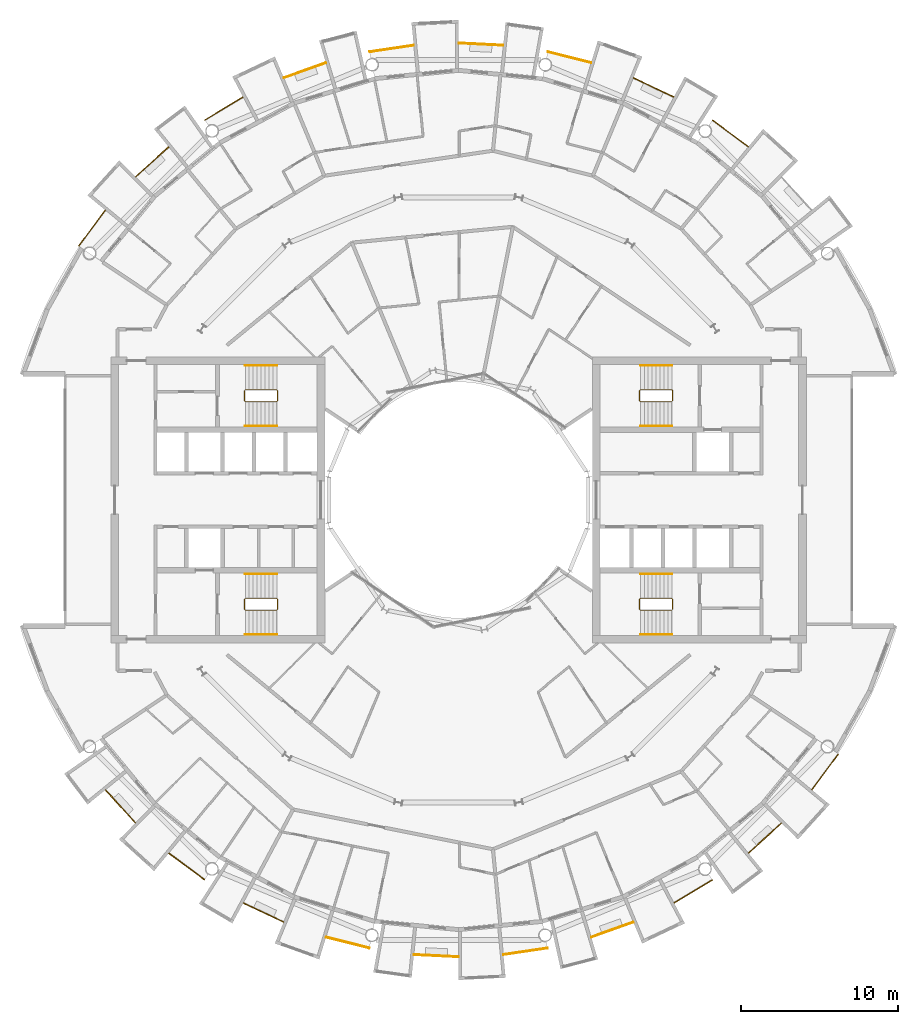
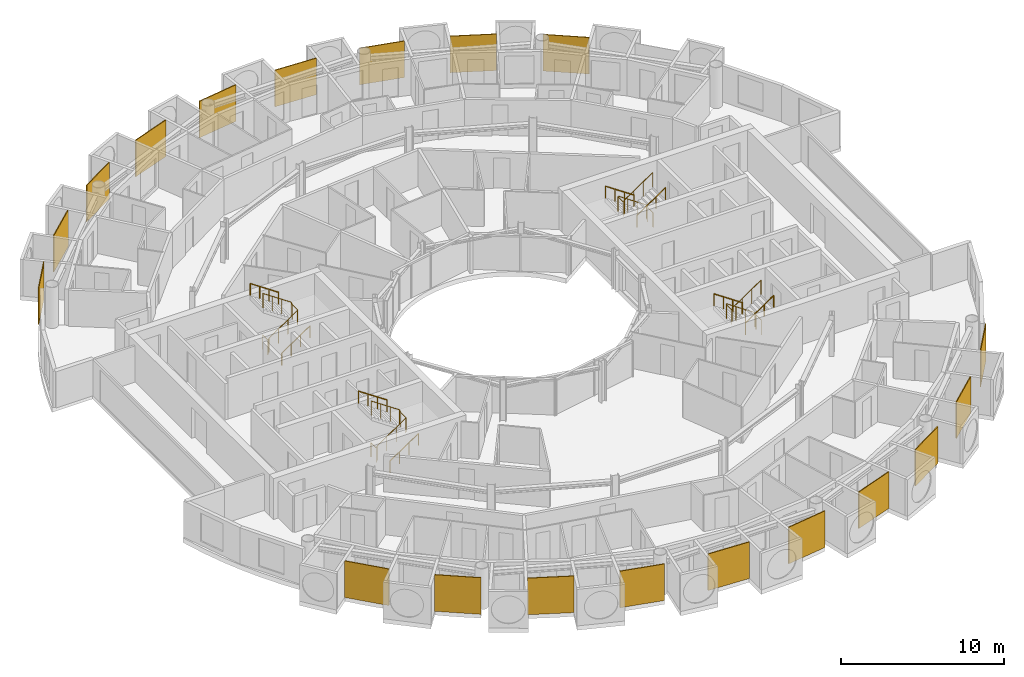
# One storey, part 26 of 27: 31 railings.
"""IFC4 building model written with IfcOpenShell, lengths in metres."""

from ifc_helpers import new_model, si_unit, direction, frame, origin, origin_2d, place, context, subcontext, project, spatial, polyline, circle, outline, extrude, material, layer, layer_set, type_object, element, save


model = new_model("IFC4")

# Units and contexts
model_context = context("Model", 3, precision=1e-05, world=origin(), true_north=direction((0.0, 1.0)))
body_context = subcontext(model_context, "Body", "Model", "MODEL_VIEW")
ifc_project = project(units=[si_unit("LENGTHUNIT", "METRE"), si_unit("AREAUNIT", "SQUARE_METRE"), si_unit("VOLUMEUNIT", "CUBIC_METRE"), si_unit("PLANEANGLEUNIT", "RADIAN"), si_unit("MASSUNIT", "GRAM", prefix="KILO")], contexts=[model_context])

# Site, building, storey
site_placement = place(None, origin())
site = spatial("IfcSite", under=ifc_project, at=site_placement, CompositionType="ELEMENT")
building_placement = place(site_placement, origin())
building = spatial("IfcBuilding", under=site, at=building_placement, Name="Maasbend Ring Residences", CompositionType="ELEMENT")
storey_placement = place(building_placement, frame((0.0, 0.0, 148.25)))
storey = spatial("IfcBuildingStorey", under=building, at=storey_placement, Name="L42", CompositionType="ELEMENT", Elevation=148.25)

# Railings
ifc_material_1 = material(Name="Pale anodised perforated aluminium", Category="aluminium")
ifc_layer = layer(ifc_material_1, 0.06005859375)
ifc_layer_set = layer_set([ifc_layer], Name="SCREEN-P")
railing_type_1 = type_object("IfcRailingType", Name="SCREEN-P", PredefinedType="GUARDRAIL", material=ifc_layer_set)
railing_1_placement = place(storey_placement, frame((0.0, 0.0, -0.030029296875)))
element("IfcRailing", 1, at=railing_1_placement, inside=storey, type_object=railing_type_1, Name="Perforated screen guard 2", PredefinedType="GUARDRAIL", context=body_context, shape_type="SweptSolid", body=[
    extrude(outline(polyline([(18.39697265625, 22.4169921875), (16.112060546875, 24.113037109375), (16.14697265625, 24.160888671875), (18.43310546875, 22.465087890625), (18.39697265625, 22.4169921875)])), origin(), (0.0, 0.0, 1.0), 2.72998046875),
])
railing_2_placement = place(storey_placement, frame((0.0, 0.0, -0.030029296875)))
element("IfcRailing", 2, at=railing_2_placement, inside=storey, type_object=railing_type_1, Name="Perforated screen guard 3", PredefinedType="GUARDRAIL", context=body_context, shape_type="SweptSolid", body=[
    extrude(outline(polyline([(13.6708984375, 25.575927734375), (11.097900390625, 26.79296875), (11.123046875, 26.846923828125), (13.696044921875, 25.6298828125), (13.6708984375, 25.575927734375)])), origin(), (0.0, 0.0, 1.0), 2.72998046875),
])
railing_3_placement = place(storey_placement, frame((0.0, 0.0, -0.030029296875)))
element("IfcRailing", 3, at=railing_3_placement, inside=storey, type_object=railing_type_1, Name="Perforated screen guard 4", PredefinedType="GUARDRAIL", context=body_context, shape_type="SweptSolid", body=[
    extrude(outline(polyline([(8.41796875, 27.7509765625), (5.657958984375, 28.443115234375), (5.672119140625, 28.5009765625), (8.43310546875, 27.80908203125), (8.41796875, 27.7509765625)])), origin(), (0.0, 0.0, 1.0), 2.72998046875),
])
railing_4_placement = place(storey_placement, frame((0.0, 0.0, -0.030029296875)))
element("IfcRailing", 4, at=railing_4_placement, inside=storey, type_object=railing_type_1, Name="Perforated screen guard 5", PredefinedType="GUARDRAIL", context=body_context, shape_type="SweptSolid", body=[
    extrude(outline(polyline([(2.842041015625, 28.860107421875), (0.0, 29.0), (0.0029296875, 29.06005859375), (2.844970703125, 28.919921875), (2.842041015625, 28.860107421875)])), origin(), (0.0, 0.0, 1.0), 2.72998046875),
])
railing_5_placement = place(storey_placement, frame((0.0, 0.0, -0.030029296875)))
element("IfcRailing", 5, at=railing_5_placement, inside=storey, type_object=railing_type_1, Name="Perforated screen guard 6", PredefinedType="GUARDRAIL", context=body_context, shape_type="SweptSolid", body=[
    extrude(outline(polyline([(-2.842041015625, 28.860107421875), (-5.657958984375, 28.443115234375), (-5.666015625, 28.501953125), (-2.85107421875, 28.919921875), (-2.842041015625, 28.860107421875)])), origin(), (0.0, 0.0, 1.0), 2.72998046875),
])
railing_6_placement = place(storey_placement, frame((0.0, 0.0, -0.030029296875)))
element("IfcRailing", 6, at=railing_6_placement, inside=storey, type_object=railing_type_1, Name="Perforated screen guard 7", PredefinedType="GUARDRAIL", context=body_context, shape_type="SweptSolid", body=[
    extrude(outline(polyline([(-8.41796875, 27.7509765625), (-11.097900390625, 26.79296875), (-11.117919921875, 26.84912109375), (-8.43798828125, 27.80810546875), (-8.41796875, 27.7509765625)])), origin(), (0.0, 0.0, 1.0), 2.72998046875),
])
railing_7_placement = place(storey_placement, frame((0.0, 0.0, -0.030029296875)))
element("IfcRailing", 7, at=railing_7_placement, inside=storey, type_object=railing_type_1, Name="Perforated screen guard 8", PredefinedType="GUARDRAIL", context=body_context, shape_type="SweptSolid", body=[
    extrude(outline(polyline([(-13.6708984375, 25.575927734375), (-16.112060546875, 24.113037109375), (-16.14208984375, 24.1640625), (-13.700927734375, 25.626953125), (-13.6708984375, 25.575927734375)])), origin(), (0.0, 0.0, 1.0), 2.72998046875),
])
railing_8_placement = place(storey_placement, frame((0.0, 0.0, -0.030029296875)))
element("IfcRailing", 8, at=railing_8_placement, inside=storey, type_object=railing_type_1, Name="Perforated screen guard 9", PredefinedType="GUARDRAIL", context=body_context, shape_type="SweptSolid", body=[
    extrude(outline(polyline([(-18.39697265625, 22.4169921875), (-20.506103515625, 20.506103515625), (-20.5458984375, 20.551025390625), (-18.43798828125, 22.4619140625), (-18.39697265625, 22.4169921875)])), origin(), (0.0, 0.0, 1.0), 2.72998046875),
])
railing_9_placement = place(storey_placement, frame((0.0, 0.0, -0.030029296875)))
element("IfcRailing", 9, at=railing_9_placement, inside=storey, type_object=railing_type_1, Name="Perforated screen guard 10", PredefinedType="GUARDRAIL", context=body_context, shape_type="SweptSolid", body=[
    extrude(outline(polyline([(-22.4169921875, 18.39697265625), (-24.113037109375, 16.112060546875), (-24.160888671875, 16.14697265625), (-22.465087890625, 18.43310546875), (-22.4169921875, 18.39697265625)])), origin(), (0.0, 0.0, 1.0), 2.72998046875),
])
railing_10_placement = place(storey_placement, frame((0.0, 0.0, -0.030029296875)))
element("IfcRailing", 10, at=railing_10_placement, inside=storey, type_object=railing_type_1, Name="Perforated screen guard 1", PredefinedType="GUARDRAIL", context=body_context, shape_type="SweptSolid", body=[
    extrude(outline(polyline([(-22.4169921875, -18.39697265625), (-20.506103515625, -20.506103515625), (-20.551025390625, -20.5458984375), (-22.4619140625, -18.43798828125), (-22.4169921875, -18.39697265625)])), origin(), (0.0, 0.0, 1.0), 2.72998046875),
])
railing_11_placement = place(storey_placement, frame((0.0, 0.0, -0.030029296875)))
element("IfcRailing", 11, at=railing_11_placement, inside=storey, type_object=railing_type_1, Name="Perforated screen guard 2", PredefinedType="GUARDRAIL", context=body_context, shape_type="SweptSolid", body=[
    extrude(outline(polyline([(-18.39697265625, -22.4169921875), (-16.112060546875, -24.113037109375), (-16.14697265625, -24.160888671875), (-18.43310546875, -22.465087890625), (-18.39697265625, -22.4169921875)])), origin(), (0.0, 0.0, 1.0), 2.72998046875),
])
railing_12_placement = place(storey_placement, frame((0.0, 0.0, -0.030029296875)))
element("IfcRailing", 12, at=railing_12_placement, inside=storey, type_object=railing_type_1, Name="Perforated screen guard 3", PredefinedType="GUARDRAIL", context=body_context, shape_type="SweptSolid", body=[
    extrude(outline(polyline([(-13.6708984375, -25.575927734375), (-11.097900390625, -26.79296875), (-11.123046875, -26.846923828125), (-13.696044921875, -25.6298828125), (-13.6708984375, -25.575927734375)])), origin(), (0.0, 0.0, 1.0), 2.72998046875),
])
railing_13_placement = place(storey_placement, frame((0.0, 0.0, -0.030029296875)))
element("IfcRailing", 13, at=railing_13_placement, inside=storey, type_object=railing_type_1, Name="Perforated screen guard 4", PredefinedType="GUARDRAIL", context=body_context, shape_type="SweptSolid", body=[
    extrude(outline(polyline([(-8.41796875, -27.7509765625), (-5.657958984375, -28.443115234375), (-5.672119140625, -28.5009765625), (-8.43310546875, -27.80908203125), (-8.41796875, -27.7509765625)])), origin(), (0.0, 0.0, 1.0), 2.72998046875),
])
railing_14_placement = place(storey_placement, frame((0.0, 0.0, -0.030029296875)))
element("IfcRailing", 14, at=railing_14_placement, inside=storey, type_object=railing_type_1, Name="Perforated screen guard 5", PredefinedType="GUARDRAIL", context=body_context, shape_type="SweptSolid", body=[
    extrude(outline(polyline([(-2.842041015625, -28.860107421875), (0.0, -29.0), (-0.0029296875, -29.06005859375), (-2.844970703125, -28.919921875), (-2.842041015625, -28.860107421875)])), origin(), (0.0, 0.0, 1.0), 2.72998046875),
])
railing_15_placement = place(storey_placement, frame((0.0, 0.0, -0.030029296875)))
element("IfcRailing", 15, at=railing_15_placement, inside=storey, type_object=railing_type_1, Name="Perforated screen guard 6", PredefinedType="GUARDRAIL", context=body_context, shape_type="SweptSolid", body=[
    extrude(outline(polyline([(2.842041015625, -28.860107421875), (5.657958984375, -28.443115234375), (5.666015625, -28.501953125), (2.85107421875, -28.919921875), (2.842041015625, -28.860107421875)])), origin(), (0.0, 0.0, 1.0), 2.72998046875),
])
railing_16_placement = place(storey_placement, frame((0.0, 0.0, -0.030029296875)))
element("IfcRailing", 16, at=railing_16_placement, inside=storey, type_object=railing_type_1, Name="Perforated screen guard 7", PredefinedType="GUARDRAIL", context=body_context, shape_type="SweptSolid", body=[
    extrude(outline(polyline([(8.41796875, -27.7509765625), (11.097900390625, -26.79296875), (11.117919921875, -26.84912109375), (8.43798828125, -27.80810546875), (8.41796875, -27.7509765625)])), origin(), (0.0, 0.0, 1.0), 2.72998046875),
])
railing_17_placement = place(storey_placement, frame((0.0, 0.0, -0.030029296875)))
element("IfcRailing", 17, at=railing_17_placement, inside=storey, type_object=railing_type_1, Name="Perforated screen guard 8", PredefinedType="GUARDRAIL", context=body_context, shape_type="SweptSolid", body=[
    extrude(outline(polyline([(13.6708984375, -25.575927734375), (16.112060546875, -24.113037109375), (16.14208984375, -24.1640625), (13.700927734375, -25.626953125), (13.6708984375, -25.575927734375)])), origin(), (0.0, 0.0, 1.0), 2.72998046875),
])
railing_18_placement = place(storey_placement, frame((0.0, 0.0, -0.030029296875)))
element("IfcRailing", 18, at=railing_18_placement, inside=storey, type_object=railing_type_1, Name="Perforated screen guard 9", PredefinedType="GUARDRAIL", context=body_context, shape_type="SweptSolid", body=[
    extrude(outline(polyline([(18.39697265625, -22.4169921875), (20.506103515625, -20.506103515625), (20.5458984375, -20.551025390625), (18.43798828125, -22.4619140625), (18.39697265625, -22.4169921875)])), origin(), (0.0, 0.0, 1.0), 2.72998046875),
])
railing_19_placement = place(storey_placement, frame((0.0, 0.0, -0.030029296875)))
element("IfcRailing", 19, at=railing_19_placement, inside=storey, type_object=railing_type_1, Name="Perforated screen guard 10", PredefinedType="GUARDRAIL", context=body_context, shape_type="SweptSolid", body=[
    extrude(outline(polyline([(22.4169921875, -18.39697265625), (24.113037109375, -16.112060546875), (24.160888671875, -16.14697265625), (22.465087890625, -18.43310546875), (22.4169921875, -18.39697265625)])), origin(), (0.0, 0.0, 1.0), 2.72998046875),
])
ifc_material_2 = material(Name="Stainless steel 316", Category="steel")
railing_type_2 = type_object("IfcRailingType", Name="STAIR GUARD 1100", PredefinedType="GUARDRAIL", material=ifc_material_2)
railing_20_placement = place(storey_placement, frame((13.60009765625, 6.300048828125, 0.0)))
element("IfcRailing", 20, at=railing_20_placement, inside=storey, type_object=railing_type_2, Name="L42 ST-E1 stair guard 1", PredefinedType="GUARDRAIL", context=body_context, shape_type="SweptSolid", body=[
    extrude(circle(Radius=0.02392578125, at=origin_2d()), frame((0.0, 0.0, 1.076171875), z_axis=(0.0, 1.0, 0.0), x_axis=(-1.0, 0.0, 0.0)), (0.0, 0.0, 1.0), 0.64990234375),
    extrude(circle(Radius=0.02392578125, at=origin_2d()), frame((0.0, 0.64990234375, 1.076171875), z_axis=(-0.272562526181, 0.272562526181, 0.92272386912), x_axis=(-0.707106781187, -0.707106781187, 0.0)), (0.0, 0.0, 1.0), 0.18359375),
    extrude(circle(Radius=0.02392578125, at=origin_2d()), frame((-0.050048828125, 0.699951171875, 1.24560546875), z_axis=(-0.827797584762, 0.0, 0.561026878735), x_axis=(0.0, -1.0, 0.0)), (0.0, 0.0, 1.0), 2.416015625),
    extrude(circle(Radius=0.02392578125, at=origin_2d()), frame((-2.050048828125, 0.699951171875, 2.60107421875), z_axis=(-0.707106781187, -0.707106781187, 0.0), x_axis=(0.707106781187, -0.707106781187, 0.0)), (0.0, 0.0, 1.0), 0.07080078125),
    extrude(circle(Radius=0.02392578125, at=origin_2d()), frame((-2.10009765625, 0.64990234375, 2.60107421875), z_axis=(0.0, -1.0, 0.0), x_axis=(1.0, 0.0, 0.0)), (0.0, 0.0, 1.0), 0.64990234375),
    extrude(circle(Radius=0.02392578125, at=origin_2d()), frame((-2.10009765625, 0.0, 2.60107421875), z_axis=(0.272562526181, -0.272562526181, 0.92272386912), x_axis=(0.707106781187, 0.707106781187, 0.0)), (0.0, 0.0, 1.0), 0.18359375),
    extrude(circle(Radius=0.02392578125, at=origin_2d()), frame((-2.050048828125, -0.050048828125, 2.7705078125), z_axis=(0.827750655447, 0.0, 0.561096116906), x_axis=(0.0, 1.0, 0.0)), (0.0, 0.0, 1.0), 2.416259765625),
    extrude(circle(Radius=0.02099609375, at=origin_2d()), origin(), (0.0, 0.0, 1.0), 1.052001953125),
    extrude(circle(Radius=0.02099609375, at=origin_2d()), frame((0.0, 0.64990234375, 0.0)), (0.0, 0.0, 1.0), 1.052001953125),
    extrude(circle(Radius=0.02099609375, at=origin_2d()), frame((-0.050048828125, 0.699951171875, 0.16943359375)), (0.0, 0.0, 1.0), 1.052001953125),
    extrude(circle(Radius=0.02099609375, at=origin_2d()), frame((-0.716796875, 0.699951171875, 0.621337890625)), (0.0, 0.0, 1.0), 1.052001953125),
    extrude(circle(Radius=0.02099609375, at=origin_2d()), frame((-1.38330078125, 0.699951171875, 1.072998046875)), (0.0, 0.0, 1.0), 1.052001953125),
    extrude(circle(Radius=0.02099609375, at=origin_2d()), frame((-2.050048828125, 0.699951171875, 1.52490234375)), (0.0, 0.0, 1.0), 1.052001953125),
    extrude(circle(Radius=0.02099609375, at=origin_2d()), frame((-2.10009765625, 0.64990234375, 1.52490234375)), (0.0, 0.0, 1.0), 1.052001953125),
    extrude(circle(Radius=0.02099609375, at=origin_2d()), frame((-2.10009765625, 0.0, 1.52490234375)), (0.0, 0.0, 1.0), 1.052001953125),
    extrude(circle(Radius=0.02099609375, at=origin_2d()), frame((-2.050048828125, -0.050048828125, 1.6943359375)), (0.0, 0.0, 1.0), 1.052001953125),
    extrude(circle(Radius=0.02099609375, at=origin_2d()), frame((-1.38330078125, -0.050048828125, 2.146240234375)), (0.0, 0.0, 1.0), 1.052001953125),
    extrude(circle(Radius=0.02099609375, at=origin_2d()), frame((-0.716796875, -0.050048828125, 2.59814453125)), (0.0, 0.0, 1.0), 1.052001953125),
    extrude(circle(Radius=0.02099609375, at=origin_2d()), frame((-0.050048828125, -0.050048828125, 3.050048828125)), (0.0, 0.0, 1.0), 1.052001953125),
])
railing_21_placement = place(storey_placement, frame((13.60009765625, -6.949951171875, 0.0)))
element("IfcRailing", 21, at=railing_21_placement, inside=storey, type_object=railing_type_2, Name="L42 ST-E2 stair guard 1", PredefinedType="GUARDRAIL", context=body_context, shape_type="SweptSolid", body=[
    extrude(circle(Radius=0.02392578125, at=origin_2d()), frame((0.0, 0.0, 1.076171875), z_axis=(0.0, 1.0, 0.0), x_axis=(-1.0, 0.0, 0.0)), (0.0, 0.0, 1.0), 0.64990234375),
    extrude(circle(Radius=0.02392578125, at=origin_2d()), frame((0.0, 0.64990234375, 1.076171875), z_axis=(-0.272562526181, 0.272562526181, 0.92272386912), x_axis=(-0.707106781187, -0.707106781187, 0.0)), (0.0, 0.0, 1.0), 0.18359375),
    extrude(circle(Radius=0.02392578125, at=origin_2d()), frame((-0.050048828125, 0.699951171875, 1.24560546875), z_axis=(-0.827797584762, 0.0, 0.561026878735), x_axis=(0.0, -1.0, 0.0)), (0.0, 0.0, 1.0), 2.416015625),
    extrude(circle(Radius=0.02392578125, at=origin_2d()), frame((-2.050048828125, 0.699951171875, 2.60107421875), z_axis=(-0.707106781187, -0.707106781187, 0.0), x_axis=(0.707106781187, -0.707106781187, 0.0)), (0.0, 0.0, 1.0), 0.07080078125),
    extrude(circle(Radius=0.02392578125, at=origin_2d()), frame((-2.10009765625, 0.64990234375, 2.60107421875), z_axis=(0.0, -1.0, 0.0), x_axis=(1.0, 0.0, 0.0)), (0.0, 0.0, 1.0), 0.64990234375),
    extrude(circle(Radius=0.02392578125, at=origin_2d()), frame((-2.10009765625, 0.0, 2.60107421875), z_axis=(0.272562526181, -0.272562526181, 0.92272386912), x_axis=(0.707106781187, 0.707106781187, 0.0)), (0.0, 0.0, 1.0), 0.18359375),
    extrude(circle(Radius=0.02392578125, at=origin_2d()), frame((-2.050048828125, -0.050048828125, 2.7705078125), z_axis=(0.827750655447, 0.0, 0.561096116906), x_axis=(0.0, 1.0, 0.0)), (0.0, 0.0, 1.0), 2.416259765625),
    extrude(circle(Radius=0.02099609375, at=origin_2d()), origin(), (0.0, 0.0, 1.0), 1.052001953125),
    extrude(circle(Radius=0.02099609375, at=origin_2d()), frame((0.0, 0.64990234375, 0.0)), (0.0, 0.0, 1.0), 1.052001953125),
    extrude(circle(Radius=0.02099609375, at=origin_2d()), frame((-0.050048828125, 0.699951171875, 0.16943359375)), (0.0, 0.0, 1.0), 1.052001953125),
    extrude(circle(Radius=0.02099609375, at=origin_2d()), frame((-0.716796875, 0.699951171875, 0.621337890625)), (0.0, 0.0, 1.0), 1.052001953125),
    extrude(circle(Radius=0.02099609375, at=origin_2d()), frame((-1.38330078125, 0.699951171875, 1.072998046875)), (0.0, 0.0, 1.0), 1.052001953125),
    extrude(circle(Radius=0.02099609375, at=origin_2d()), frame((-2.050048828125, 0.699951171875, 1.52490234375)), (0.0, 0.0, 1.0), 1.052001953125),
    extrude(circle(Radius=0.02099609375, at=origin_2d()), frame((-2.10009765625, 0.64990234375, 1.52490234375)), (0.0, 0.0, 1.0), 1.052001953125),
    extrude(circle(Radius=0.02099609375, at=origin_2d()), frame((-2.10009765625, 0.0, 1.52490234375)), (0.0, 0.0, 1.0), 1.052001953125),
    extrude(circle(Radius=0.02099609375, at=origin_2d()), frame((-2.050048828125, -0.050048828125, 1.6943359375)), (0.0, 0.0, 1.0), 1.052001953125),
    extrude(circle(Radius=0.02099609375, at=origin_2d()), frame((-1.38330078125, -0.050048828125, 2.146240234375)), (0.0, 0.0, 1.0), 1.052001953125),
    extrude(circle(Radius=0.02099609375, at=origin_2d()), frame((-0.716796875, -0.050048828125, 2.59814453125)), (0.0, 0.0, 1.0), 1.052001953125),
    extrude(circle(Radius=0.02099609375, at=origin_2d()), frame((-0.050048828125, -0.050048828125, 3.050048828125)), (0.0, 0.0, 1.0), 1.052001953125),
])
railing_22_placement = place(storey_placement, frame((-13.60009765625, -6.300048828125, 0.0)))
element("IfcRailing", 22, at=railing_22_placement, inside=storey, type_object=railing_type_2, Name="L42 ST-W1 stair guard 1", PredefinedType="GUARDRAIL", context=body_context, shape_type="SweptSolid", body=[
    extrude(circle(Radius=0.02392578125, at=origin_2d()), frame((0.0, 0.0, 1.076171875), z_axis=(0.0, -1.0, 0.0), x_axis=(1.0, 0.0, 0.0)), (0.0, 0.0, 1.0), 0.64990234375),
    extrude(circle(Radius=0.02392578125, at=origin_2d()), frame((0.0, -0.64990234375, 1.076171875), z_axis=(0.272562526181, -0.272562526181, 0.92272386912), x_axis=(0.707106781187, 0.707106781187, 0.0)), (0.0, 0.0, 1.0), 0.18359375),
    extrude(circle(Radius=0.02392578125, at=origin_2d()), frame((0.050048828125, -0.699951171875, 1.24560546875), z_axis=(0.827797584762, 0.0, 0.561026878735), x_axis=(0.0, 1.0, 0.0)), (0.0, 0.0, 1.0), 2.416015625),
    extrude(circle(Radius=0.02392578125, at=origin_2d()), frame((2.050048828125, -0.699951171875, 2.60107421875), z_axis=(0.707106781187, 0.707106781187, 0.0), x_axis=(-0.707106781187, 0.707106781187, 0.0)), (0.0, 0.0, 1.0), 0.07080078125),
    extrude(circle(Radius=0.02392578125, at=origin_2d()), frame((2.10009765625, -0.64990234375, 2.60107421875), z_axis=(0.0, 1.0, 0.0), x_axis=(-1.0, 0.0, 0.0)), (0.0, 0.0, 1.0), 0.64990234375),
    extrude(circle(Radius=0.02392578125, at=origin_2d()), frame((2.10009765625, 0.0, 2.60107421875), z_axis=(-0.272562526181, 0.272562526181, 0.92272386912), x_axis=(-0.707106781187, -0.707106781187, 0.0)), (0.0, 0.0, 1.0), 0.18359375),
    extrude(circle(Radius=0.02392578125, at=origin_2d()), frame((2.050048828125, 0.050048828125, 2.7705078125), z_axis=(-0.827750655447, 0.0, 0.561096116906), x_axis=(0.0, -1.0, 0.0)), (0.0, 0.0, 1.0), 2.416259765625),
    extrude(circle(Radius=0.02099609375, at=origin_2d()), origin(), (0.0, 0.0, 1.0), 1.052001953125),
    extrude(circle(Radius=0.02099609375, at=origin_2d()), frame((0.0, -0.64990234375, 0.0)), (0.0, 0.0, 1.0), 1.052001953125),
    extrude(circle(Radius=0.02099609375, at=origin_2d()), frame((0.050048828125, -0.699951171875, 0.16943359375)), (0.0, 0.0, 1.0), 1.052001953125),
    extrude(circle(Radius=0.02099609375, at=origin_2d()), frame((0.716796875, -0.699951171875, 0.621337890625)), (0.0, 0.0, 1.0), 1.052001953125),
    extrude(circle(Radius=0.02099609375, at=origin_2d()), frame((1.38330078125, -0.699951171875, 1.072998046875)), (0.0, 0.0, 1.0), 1.052001953125),
    extrude(circle(Radius=0.02099609375, at=origin_2d()), frame((2.050048828125, -0.699951171875, 1.52490234375)), (0.0, 0.0, 1.0), 1.052001953125),
    extrude(circle(Radius=0.02099609375, at=origin_2d()), frame((2.10009765625, -0.64990234375, 1.52490234375)), (0.0, 0.0, 1.0), 1.052001953125),
    extrude(circle(Radius=0.02099609375, at=origin_2d()), frame((2.10009765625, 0.0, 1.52490234375)), (0.0, 0.0, 1.0), 1.052001953125),
    extrude(circle(Radius=0.02099609375, at=origin_2d()), frame((2.050048828125, 0.050048828125, 1.6943359375)), (0.0, 0.0, 1.0), 1.052001953125),
    extrude(circle(Radius=0.02099609375, at=origin_2d()), frame((1.38330078125, 0.050048828125, 2.146240234375)), (0.0, 0.0, 1.0), 1.052001953125),
    extrude(circle(Radius=0.02099609375, at=origin_2d()), frame((0.716796875, 0.050048828125, 2.59814453125)), (0.0, 0.0, 1.0), 1.052001953125),
    extrude(circle(Radius=0.02099609375, at=origin_2d()), frame((0.050048828125, 0.050048828125, 3.050048828125)), (0.0, 0.0, 1.0), 1.052001953125),
])
railing_23_placement = place(storey_placement, frame((-13.60009765625, 6.949951171875, 0.0)))
element("IfcRailing", 23, at=railing_23_placement, inside=storey, type_object=railing_type_2, Name="L42 ST-W2 stair guard 1", PredefinedType="GUARDRAIL", context=body_context, shape_type="SweptSolid", body=[
    extrude(circle(Radius=0.02392578125, at=origin_2d()), frame((0.0, 0.0, 1.076171875), z_axis=(0.0, -1.0, 0.0), x_axis=(1.0, 0.0, 0.0)), (0.0, 0.0, 1.0), 0.64990234375),
    extrude(circle(Radius=0.02392578125, at=origin_2d()), frame((0.0, -0.64990234375, 1.076171875), z_axis=(0.272562526181, -0.272562526181, 0.92272386912), x_axis=(0.707106781187, 0.707106781187, 0.0)), (0.0, 0.0, 1.0), 0.18359375),
    extrude(circle(Radius=0.02392578125, at=origin_2d()), frame((0.050048828125, -0.699951171875, 1.24560546875), z_axis=(0.827797584762, 0.0, 0.561026878735), x_axis=(0.0, 1.0, 0.0)), (0.0, 0.0, 1.0), 2.416015625),
    extrude(circle(Radius=0.02392578125, at=origin_2d()), frame((2.050048828125, -0.699951171875, 2.60107421875), z_axis=(0.707106781187, 0.707106781187, 0.0), x_axis=(-0.707106781187, 0.707106781187, 0.0)), (0.0, 0.0, 1.0), 0.07080078125),
    extrude(circle(Radius=0.02392578125, at=origin_2d()), frame((2.10009765625, -0.64990234375, 2.60107421875), z_axis=(0.0, 1.0, 0.0), x_axis=(-1.0, 0.0, 0.0)), (0.0, 0.0, 1.0), 0.64990234375),
    extrude(circle(Radius=0.02392578125, at=origin_2d()), frame((2.10009765625, 0.0, 2.60107421875), z_axis=(-0.272562526181, 0.272562526181, 0.92272386912), x_axis=(-0.707106781187, -0.707106781187, 0.0)), (0.0, 0.0, 1.0), 0.18359375),
    extrude(circle(Radius=0.02392578125, at=origin_2d()), frame((2.050048828125, 0.050048828125, 2.7705078125), z_axis=(-0.827750655447, 0.0, 0.561096116906), x_axis=(0.0, -1.0, 0.0)), (0.0, 0.0, 1.0), 2.416259765625),
    extrude(circle(Radius=0.02099609375, at=origin_2d()), origin(), (0.0, 0.0, 1.0), 1.052001953125),
    extrude(circle(Radius=0.02099609375, at=origin_2d()), frame((0.0, -0.64990234375, 0.0)), (0.0, 0.0, 1.0), 1.052001953125),
    extrude(circle(Radius=0.02099609375, at=origin_2d()), frame((0.050048828125, -0.699951171875, 0.16943359375)), (0.0, 0.0, 1.0), 1.052001953125),
    extrude(circle(Radius=0.02099609375, at=origin_2d()), frame((0.716796875, -0.699951171875, 0.621337890625)), (0.0, 0.0, 1.0), 1.052001953125),
    extrude(circle(Radius=0.02099609375, at=origin_2d()), frame((1.38330078125, -0.699951171875, 1.072998046875)), (0.0, 0.0, 1.0), 1.052001953125),
    extrude(circle(Radius=0.02099609375, at=origin_2d()), frame((2.050048828125, -0.699951171875, 1.52490234375)), (0.0, 0.0, 1.0), 1.052001953125),
    extrude(circle(Radius=0.02099609375, at=origin_2d()), frame((2.10009765625, -0.64990234375, 1.52490234375)), (0.0, 0.0, 1.0), 1.052001953125),
    extrude(circle(Radius=0.02099609375, at=origin_2d()), frame((2.10009765625, 0.0, 1.52490234375)), (0.0, 0.0, 1.0), 1.052001953125),
    extrude(circle(Radius=0.02099609375, at=origin_2d()), frame((2.050048828125, 0.050048828125, 1.6943359375)), (0.0, 0.0, 1.0), 1.052001953125),
    extrude(circle(Radius=0.02099609375, at=origin_2d()), frame((1.38330078125, 0.050048828125, 2.146240234375)), (0.0, 0.0, 1.0), 1.052001953125),
    extrude(circle(Radius=0.02099609375, at=origin_2d()), frame((0.716796875, 0.050048828125, 2.59814453125)), (0.0, 0.0, 1.0), 1.052001953125),
    extrude(circle(Radius=0.02099609375, at=origin_2d()), frame((0.050048828125, 0.050048828125, 3.050048828125)), (0.0, 0.0, 1.0), 1.052001953125),
])
ifc_material_3 = material(Name="Stainless steel 316", Category="steel")
railing_type_3 = type_object("IfcRailingType", Name="STAIR HANDRAIL 900", PredefinedType="HANDRAIL", material=ifc_material_3)
railing_24_placement = place(storey_placement, frame((13.550048828125, 8.550048828125, 0.16943359375)))
element("IfcRailing", 24, at=railing_24_placement, inside=storey, type_object=railing_type_3, Name="L42 ST-E1 stair handrail 1", PredefinedType="HANDRAIL", context=body_context, shape_type="SweptSolid", body=[
    extrude(circle(Radius=0.02392578125, at=origin_2d()), frame((0.0, 0.0, 0.8759765625), z_axis=(-0.827797584762, 0.0, 0.561026878735), x_axis=(0.0, -1.0, 0.0)), (0.0, 0.0, 1.0), 2.416015625),
    extrude(circle(Radius=0.02099609375, at=origin_2d()), origin(), (0.0, 0.0, 1.0), 0.851806640625),
    extrude(circle(Radius=0.02099609375, at=origin_2d()), frame((-0.666748046875, 0.0, 0.451904296875)), (0.0, 0.0, 1.0), 0.851806640625),
    extrude(circle(Radius=0.02099609375, at=origin_2d()), frame((-1.333251953125, 0.0, 0.903564453125)), (0.0, 0.0, 1.0), 0.851806640625),
    extrude(circle(Radius=0.02099609375, at=origin_2d()), frame((-2.0, 0.0, 1.35546875)), (0.0, 0.0, 1.0), 0.851806640625),
])
railing_25_placement = place(storey_placement, frame((11.550048828125, 4.699951171875, 1.6943359375)))
element("IfcRailing", 25, at=railing_25_placement, inside=storey, type_object=railing_type_3, Name="L42 ST-E1 stair handrail 2", PredefinedType="HANDRAIL", context=body_context, shape_type="SweptSolid", body=[
    extrude(circle(Radius=0.02392578125, at=origin_2d()), frame((0.0, 0.0, 0.8759765625), z_axis=(0.827750655447, 0.0, 0.561096116906), x_axis=(0.0, 1.0, 0.0)), (0.0, 0.0, 1.0), 2.416259765625),
    extrude(circle(Radius=0.02099609375, at=origin_2d()), origin(), (0.0, 0.0, 1.0), 0.851806640625),
    extrude(circle(Radius=0.02099609375, at=origin_2d()), frame((0.666748046875, 0.0, 0.451904296875)), (0.0, 0.0, 1.0), 0.851806640625),
    extrude(circle(Radius=0.02099609375, at=origin_2d()), frame((1.333251953125, 0.0, 0.90380859375)), (0.0, 0.0, 1.0), 0.851806640625),
    extrude(circle(Radius=0.02099609375, at=origin_2d()), frame((2.0, 0.0, 1.355712890625)), (0.0, 0.0, 1.0), 0.851806640625),
])
railing_26_placement = place(storey_placement, frame((13.550048828125, -4.699951171875, 0.16943359375)))
element("IfcRailing", 26, at=railing_26_placement, inside=storey, type_object=railing_type_3, Name="L42 ST-E2 stair handrail 1", PredefinedType="HANDRAIL", context=body_context, shape_type="SweptSolid", body=[
    extrude(circle(Radius=0.02392578125, at=origin_2d()), frame((0.0, 0.0, 0.8759765625), z_axis=(-0.827797584762, 0.0, 0.561026878735), x_axis=(0.0, -1.0, 0.0)), (0.0, 0.0, 1.0), 2.416015625),
    extrude(circle(Radius=0.02099609375, at=origin_2d()), origin(), (0.0, 0.0, 1.0), 0.851806640625),
    extrude(circle(Radius=0.02099609375, at=origin_2d()), frame((-0.666748046875, 0.0, 0.451904296875)), (0.0, 0.0, 1.0), 0.851806640625),
    extrude(circle(Radius=0.02099609375, at=origin_2d()), frame((-1.333251953125, 0.0, 0.903564453125)), (0.0, 0.0, 1.0), 0.851806640625),
    extrude(circle(Radius=0.02099609375, at=origin_2d()), frame((-2.0, 0.0, 1.35546875)), (0.0, 0.0, 1.0), 0.851806640625),
])
railing_27_placement = place(storey_placement, frame((11.550048828125, -8.550048828125, 1.6943359375)))
element("IfcRailing", 27, at=railing_27_placement, inside=storey, type_object=railing_type_3, Name="L42 ST-E2 stair handrail 2", PredefinedType="HANDRAIL", context=body_context, shape_type="SweptSolid", body=[
    extrude(circle(Radius=0.02392578125, at=origin_2d()), frame((0.0, 0.0, 0.8759765625), z_axis=(0.827750655447, 0.0, 0.561096116906), x_axis=(0.0, 1.0, 0.0)), (0.0, 0.0, 1.0), 2.416259765625),
    extrude(circle(Radius=0.02099609375, at=origin_2d()), origin(), (0.0, 0.0, 1.0), 0.851806640625),
    extrude(circle(Radius=0.02099609375, at=origin_2d()), frame((0.666748046875, 0.0, 0.451904296875)), (0.0, 0.0, 1.0), 0.851806640625),
    extrude(circle(Radius=0.02099609375, at=origin_2d()), frame((1.333251953125, 0.0, 0.90380859375)), (0.0, 0.0, 1.0), 0.851806640625),
    extrude(circle(Radius=0.02099609375, at=origin_2d()), frame((2.0, 0.0, 1.355712890625)), (0.0, 0.0, 1.0), 0.851806640625),
])
railing_28_placement = place(storey_placement, frame((-13.550048828125, -8.550048828125, 0.16943359375)))
element("IfcRailing", 28, at=railing_28_placement, inside=storey, type_object=railing_type_3, Name="L42 ST-W1 stair handrail 1", PredefinedType="HANDRAIL", context=body_context, shape_type="SweptSolid", body=[
    extrude(circle(Radius=0.02392578125, at=origin_2d()), frame((0.0, 0.0, 0.8759765625), z_axis=(0.827797584762, 0.0, 0.561026878735), x_axis=(0.0, 1.0, 0.0)), (0.0, 0.0, 1.0), 2.416015625),
    extrude(circle(Radius=0.02099609375, at=origin_2d()), origin(), (0.0, 0.0, 1.0), 0.851806640625),
    extrude(circle(Radius=0.02099609375, at=origin_2d()), frame((0.666748046875, 0.0, 0.451904296875)), (0.0, 0.0, 1.0), 0.851806640625),
    extrude(circle(Radius=0.02099609375, at=origin_2d()), frame((1.333251953125, 0.0, 0.903564453125)), (0.0, 0.0, 1.0), 0.851806640625),
    extrude(circle(Radius=0.02099609375, at=origin_2d()), frame((2.0, 0.0, 1.35546875)), (0.0, 0.0, 1.0), 0.851806640625),
])
railing_29_placement = place(storey_placement, frame((-11.550048828125, -4.699951171875, 1.6943359375)))
element("IfcRailing", 29, at=railing_29_placement, inside=storey, type_object=railing_type_3, Name="L42 ST-W1 stair handrail 2", PredefinedType="HANDRAIL", context=body_context, shape_type="SweptSolid", body=[
    extrude(circle(Radius=0.02392578125, at=origin_2d()), frame((0.0, 0.0, 0.8759765625), z_axis=(-0.827750655447, 0.0, 0.561096116906), x_axis=(0.0, -1.0, 0.0)), (0.0, 0.0, 1.0), 2.416259765625),
    extrude(circle(Radius=0.02099609375, at=origin_2d()), origin(), (0.0, 0.0, 1.0), 0.851806640625),
    extrude(circle(Radius=0.02099609375, at=origin_2d()), frame((-0.666748046875, 0.0, 0.451904296875)), (0.0, 0.0, 1.0), 0.851806640625),
    extrude(circle(Radius=0.02099609375, at=origin_2d()), frame((-1.333251953125, 0.0, 0.90380859375)), (0.0, 0.0, 1.0), 0.851806640625),
    extrude(circle(Radius=0.02099609375, at=origin_2d()), frame((-2.0, 0.0, 1.355712890625)), (0.0, 0.0, 1.0), 0.851806640625),
])
railing_30_placement = place(storey_placement, frame((-13.550048828125, 4.699951171875, 0.16943359375)))
element("IfcRailing", 30, at=railing_30_placement, inside=storey, type_object=railing_type_3, Name="L42 ST-W2 stair handrail 1", PredefinedType="HANDRAIL", context=body_context, shape_type="SweptSolid", body=[
    extrude(circle(Radius=0.02392578125, at=origin_2d()), frame((0.0, 0.0, 0.8759765625), z_axis=(0.827797584762, 0.0, 0.561026878735), x_axis=(0.0, 1.0, 0.0)), (0.0, 0.0, 1.0), 2.416015625),
    extrude(circle(Radius=0.02099609375, at=origin_2d()), origin(), (0.0, 0.0, 1.0), 0.851806640625),
    extrude(circle(Radius=0.02099609375, at=origin_2d()), frame((0.666748046875, 0.0, 0.451904296875)), (0.0, 0.0, 1.0), 0.851806640625),
    extrude(circle(Radius=0.02099609375, at=origin_2d()), frame((1.333251953125, 0.0, 0.903564453125)), (0.0, 0.0, 1.0), 0.851806640625),
    extrude(circle(Radius=0.02099609375, at=origin_2d()), frame((2.0, 0.0, 1.35546875)), (0.0, 0.0, 1.0), 0.851806640625),
])
railing_31_placement = place(storey_placement, frame((-11.550048828125, 8.550048828125, 1.6943359375)))
element("IfcRailing", 31, at=railing_31_placement, inside=storey, type_object=railing_type_3, Name="L42 ST-W2 stair handrail 2", PredefinedType="HANDRAIL", context=body_context, shape_type="SweptSolid", body=[
    extrude(circle(Radius=0.02392578125, at=origin_2d()), frame((0.0, 0.0, 0.8759765625), z_axis=(-0.827750655447, 0.0, 0.561096116906), x_axis=(0.0, -1.0, 0.0)), (0.0, 0.0, 1.0), 2.416259765625),
    extrude(circle(Radius=0.02099609375, at=origin_2d()), origin(), (0.0, 0.0, 1.0), 0.851806640625),
    extrude(circle(Radius=0.02099609375, at=origin_2d()), frame((-0.666748046875, 0.0, 0.451904296875)), (0.0, 0.0, 1.0), 0.851806640625),
    extrude(circle(Radius=0.02099609375, at=origin_2d()), frame((-1.333251953125, 0.0, 0.90380859375)), (0.0, 0.0, 1.0), 0.851806640625),
    extrude(circle(Radius=0.02099609375, at=origin_2d()), frame((-2.0, 0.0, 1.355712890625)), (0.0, 0.0, 1.0), 0.851806640625),
])

save(model, "model.ifc")
